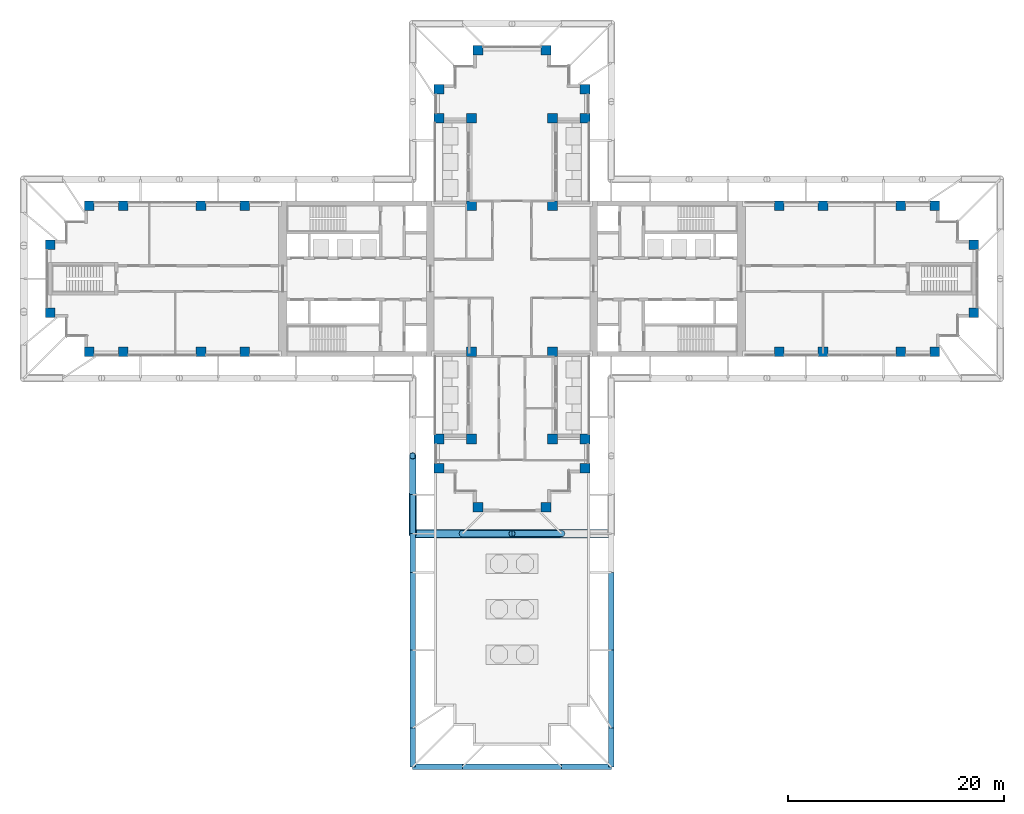
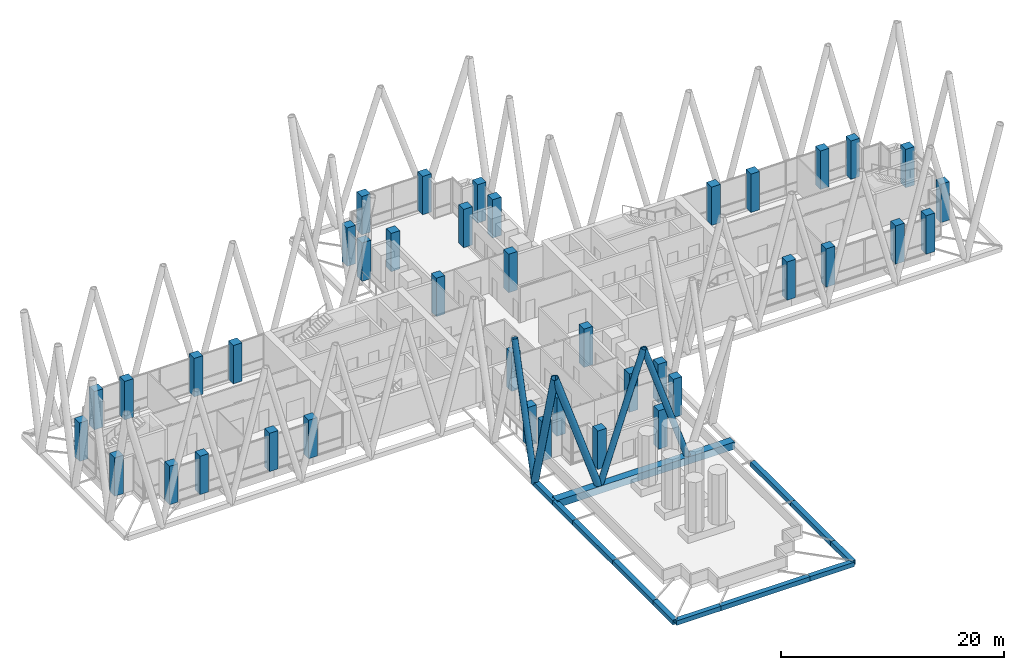
# One storey, part 1 of 22: 40 columns, 17 members.
"""IFC4 building model written with IfcOpenShell, lengths in metres."""

from ifc_helpers import new_model, si_unit, direction, frame, origin, origin_2d, place, context, subcontext, project, spatial, rectangle, hollow_rectangle, hollow_circle, extrude, material, material_profile, profile_set, type_object, element, save


model = new_model("IFC4")

# Units and contexts
model_context = context("Model", 3, precision=1e-05, world=origin(), true_north=direction((0.0, 1.0)))
body_context = subcontext(model_context, "Body", "Model", "MODEL_VIEW")
ifc_project = project(units=[si_unit("LENGTHUNIT", "METRE"), si_unit("AREAUNIT", "SQUARE_METRE"), si_unit("VOLUMEUNIT", "CUBIC_METRE"), si_unit("PLANEANGLEUNIT", "RADIAN"), si_unit("MASSUNIT", "GRAM", prefix="KILO")], contexts=[model_context])

# Site, building, storey
site_placement = place(None, origin())
site = spatial("IfcSite", under=ifc_project, at=site_placement, CompositionType="ELEMENT")
building_placement = place(site_placement, origin())
building = spatial("IfcBuilding", under=site, at=building_placement, Name="Fustian Cross Tower", CompositionType="ELEMENT")
storey_placement = place(building_placement, frame((0.0, 0.0, 116.10009765625)))
storey = spatial("IfcBuildingStorey", under=building, at=storey_placement, Name="L36", CompositionType="ELEMENT", Elevation=116.10009765625)

# Columns
ifc_material_1 = material(Name="Concrete C50/60", Category="concrete")
ifc_material_profile_1 = material_profile(ifc_material_1, rectangle(XDim=0.89990234375, YDim=0.89990234375, at=origin_2d()), Name="RC 900x900")
ifc_profile_set_1 = profile_set([ifc_material_profile_1], Name="Concrete C50/60")
column_type = type_object("IfcColumnType", Name="COLUMN RC 900x900 C50/60", PredefinedType="COLUMN", material=ifc_profile_set_1)
for number, where, z_axis, x_axis, name in (
    (1, (-42.75, -3.14990234375, 0.0), (0.0, 0.0, 1.0), (1.0, 0.0, 0.0), "COLUMN 001"),
    (2, (-42.75, 3.14990234375, 0.0), (0.0, 0.0, 1.0), (1.0, 0.0, 0.0), "COLUMN 002"),
    (3, (-39.14990234375, -6.75, 0.0), (0.0, 0.0, 1.0), (1.0, 0.0, 0.0), "COLUMN 003"),
    (4, (-39.14990234375, 6.75, 0.0), (0.0, 0.0, 1.0), (1.0, 0.0, 0.0), "COLUMN 004"),
    (5, (-36.0, -6.75, 0.0), (0.0, 0.0, 1.0), (1.0, 0.0, 0.0), "COLUMN 005"),
    (6, (-36.0, 6.75, 0.0), (0.0, 0.0, 1.0), (1.0, 0.0, 0.0), "COLUMN 006"),
    (7, (-28.800048828125, -6.75, 0.0), (0.0, 0.0, 1.0), (1.0, 0.0, 0.0), "COLUMN 007"),
    (8, (-28.800048828125, 6.75, 0.0), (0.0, 0.0, 1.0), (1.0, 0.0, 0.0), "COLUMN 010"),
    (9, (-24.75, -6.75, 0.0), (0.0, 0.0, 1.0), (1.0, 0.0, 0.0), "COLUMN 011"),
    (10, (-24.75, 6.75, 0.0), (0.0, 0.0, 1.0), (1.0, 0.0, 0.0), "COLUMN 012"),
    (11, (-6.75, -17.550048828125, 0.0), (0.0, 0.0, 1.0), (1.0, 0.0, 0.0), "COLUMN 017"),
    (12, (-6.75, -14.85009765625, 0.0), (0.0, 0.0, 1.0), (1.0, 0.0, 0.0), "COLUMN 018"),
    (13, (-6.75, 14.85009765625, 0.0), (0.0, 0.0, 1.0), (1.0, 0.0, 0.0), "COLUMN 019"),
    (14, (-6.75, 17.550048828125, 0.0), (0.0, 0.0, 1.0), (1.0, 0.0, 0.0), "COLUMN 020"),
    (15, (-3.75, -14.85009765625, 0.0), (0.0, 0.0, 1.0), (1.0, 0.0, 0.0), "COLUMN 025"),
    (16, (-3.75, -6.75, 0.0), (0.0, 0.0, 1.0), (1.0, 0.0, 0.0), "COLUMN 026"),
    (17, (-3.75, 6.75, 0.0), (0.0, 0.0, 1.0), (1.0, 0.0, 0.0), "COLUMN 027"),
    (18, (-3.75, 14.85009765625, 0.0), (0.0, 0.0, 1.0), (1.0, 0.0, 0.0), "COLUMN 028"),
    (19, (-3.14990234375, -21.14990234375, 0.0), (0.0, 0.0, 1.0), (1.0, 0.0, 0.0), "COLUMN 030"),
    (20, (-3.14990234375, 21.14990234375, 0.0), (0.0, 0.0, 1.0), (1.0, 0.0, 0.0), "COLUMN 031"),
    (21, (3.14990234375, -21.14990234375, 0.0), (0.0, 0.0, 1.0), (1.0, 0.0, 0.0), "COLUMN 034"),
    (22, (3.14990234375, 21.14990234375, 0.0), (0.0, 0.0, 1.0), (1.0, 0.0, 0.0), "COLUMN 035"),
    (23, (3.75, -14.85009765625, 0.0), (0.0, 0.0, 1.0), (1.0, 0.0, 0.0), "COLUMN 037"),
    (24, (3.75, -6.75, 0.0), (0.0, 0.0, 1.0), (1.0, 0.0, 0.0), "COLUMN 038"),
    (25, (3.75, 6.75, 0.0), (0.0, 0.0, 1.0), (1.0, 0.0, 0.0), "COLUMN 039"),
    (26, (3.75, 14.85009765625, 0.0), (0.0, 0.0, 1.0), (1.0, 0.0, 0.0), "COLUMN 040"),
    (27, (6.75, -17.550048828125, 0.0), (0.0, 0.0, 1.0), (1.0, 0.0, 0.0), "COLUMN 045"),
    (28, (6.75, -14.85009765625, 0.0), (0.0, 0.0, 1.0), (1.0, 0.0, 0.0), "COLUMN 046"),
    (29, (6.75, 14.85009765625, 0.0), (0.0, 0.0, 1.0), (1.0, 0.0, 0.0), "COLUMN 047"),
    (30, (6.75, 17.550048828125, 0.0), (0.0, 0.0, 1.0), (1.0, 0.0, 0.0), "COLUMN 048"),
    (31, (24.75, -6.75, 0.0), (0.0, 0.0, 1.0), (1.0, 0.0, 0.0), "COLUMN 053"),
    (32, (24.75, 6.75, 0.0), (0.0, 0.0, 1.0), (1.0, 0.0, 0.0), "COLUMN 054"),
    (33, (28.800048828125, -6.75, 0.0), (0.0, 0.0, 1.0), (1.0, 0.0, 0.0), "COLUMN 055"),
    (34, (28.800048828125, 6.75, 0.0), (0.0, 0.0, 1.0), (1.0, 0.0, 0.0), "COLUMN 058"),
    (35, (36.0, -6.75, 0.0), (0.0, 0.0, 1.0), (1.0, 0.0, 0.0), "COLUMN 059"),
    (36, (36.0, 6.75, 0.0), (0.0, 0.0, 1.0), (1.0, 0.0, 0.0), "COLUMN 060"),
    (37, (39.14990234375, -6.75, 0.0), (0.0, 0.0, 1.0), (1.0, 0.0, 0.0), "COLUMN 061"),
    (38, (39.14990234375, 6.75, 0.0), (0.0, 0.0, 1.0), (1.0, 0.0, 0.0), "COLUMN 062"),
    (39, (42.75, -3.14990234375, 0.0), (0.0, 0.0, 1.0), (1.0, 0.0, 0.0), "COLUMN 063"),
    (40, (42.75, 3.14990234375, 0.0), (0.0, 0.0, 1.0), (1.0, 0.0, 0.0), "COLUMN 064"),
):
    element("IfcColumn", number, at=place(storey_placement, frame(where, z_axis=z_axis, x_axis=x_axis)), inside=storey, type_object=column_type, Name=name, PredefinedType="COLUMN", context=body_context, shape_type="SweptSolid", body=[
        extrude(rectangle(XDim=0.89990234375, YDim=0.89990234375, at=origin_2d()), origin(), (0.0, 0.0, 1.0), 4.199951171875),
    ])

# Members
ifc_material_2 = material(Name="Steel S355", Category="steel")
ifc_material_profile_2 = material_profile(ifc_material_2, hollow_circle(Radius=0.3046875, WallThickness=0.02490234375, at=origin_2d()), Name="CHS 610x25")
ifc_profile_set_2 = profile_set([ifc_material_profile_2], Name="Steel S355")
member_type_1 = type_object("IfcMemberType", Name="DIAGRID DIAGONAL CHS 610x25", PredefinedType="BRACE", material=ifc_profile_set_2)
member_1_placement = place(storey_placement, frame((-9.199951171875, -20.0, -0.400146484375), z_axis=(0.0, 0.255897330119, 0.966703965254), x_axis=(-1.0, 0.0, 0.0)))
element("IfcMember", 41, at=member_1_placement, inside=storey, type_object=member_type_1, Name="Diagrid diagonal S-W 03", PredefinedType="BRACE", context=body_context, shape_type="SweptSolid", body=[
    extrude(hollow_circle(Radius=0.3046875, WallThickness=0.02490234375, at=origin_2d()), origin(), (0.0, 0.0, 1.0), 14.068603515625),
])
for number, where, z_axis, x_axis, name in (
    (42, (-4.60009765625, -23.60009765625, -0.400146484375), (0.32040791786, 0.0, 0.947279666293), (0.0, 1.0, 0.0), "Diagrid diagonal S-end 02"),
    (43, (4.60009765625, -23.60009765625, -0.400146484375), (-0.32040791786, 0.0, 0.947279666293), (0.0, -1.0, 0.0), "Diagrid diagonal S-end 03"),
):
    element("IfcMember", number, at=place(storey_placement, frame(where, z_axis=z_axis, x_axis=x_axis)), inside=storey, type_object=member_type_1, Name=name, PredefinedType="BRACE", context=body_context, shape_type="SweptSolid", body=[
        extrude(hollow_circle(Radius=0.3046875, WallThickness=0.02490234375, at=origin_2d()), origin(), (0.0, 0.0, 1.0), 14.35693359375),
    ])
ifc_material_3 = material(Name="Steel S355", Category="steel")
ifc_material_profile_3 = material_profile(ifc_material_3, hollow_circle(Radius=0.355712890625, WallThickness=0.031982421875, at=origin_2d()), Name="CHS 711x32")
ifc_profile_set_3 = profile_set([ifc_material_profile_3], Name="Steel S355")
member_type_2 = type_object("IfcMemberType", Name="DIAGRID DIAGONAL CHS 711x32", PredefinedType="BRACE", material=ifc_profile_set_3)
member_2_placement = place(storey_placement, frame((-9.199951171875, -20.0, -0.400146484375), z_axis=(0.0, -0.255897330119, 0.966703965254), x_axis=(1.0, 0.0, 0.0)))
element("IfcMember", 44, at=member_2_placement, inside=storey, type_object=member_type_2, Name="Diagrid diagonal S-W 04", PredefinedType="BRACE", context=body_context, shape_type="SweptSolid", body=[
    extrude(hollow_circle(Radius=0.355712890625, WallThickness=0.031982421875, at=origin_2d()), origin(), (0.0, 0.0, 1.0), 14.068603515625),
])
member_3_placement = place(storey_placement, frame((-4.60009765625, -23.60009765625, -0.400146484375), z_axis=(-0.320392658503, 0.0, 0.947284827482), x_axis=(0.0, -1.0, 0.0)))
element("IfcMember", 45, at=member_3_placement, inside=storey, type_object=member_type_2, Name="Diagrid diagonal S-end 01", PredefinedType="BRACE", context=body_context, shape_type="SweptSolid", body=[
    extrude(hollow_circle(Radius=0.355712890625, WallThickness=0.031982421875, at=origin_2d()), origin(), (0.0, 0.0, 1.0), 14.35693359375),
])
ifc_material_4 = material(Name="Steel S355", Category="steel")
ifc_material_profile_4 = material_profile(ifc_material_4, hollow_rectangle(XDim=0.5, YDim=0.5, WallThickness=0.02490234375, at=origin_2d()), Name="RHS 500x500x25")
ifc_profile_set_4 = profile_set([ifc_material_profile_4], Name="Steel S355")
member_type_3 = type_object("IfcMemberType", Name="DIAGRID RING RHS 500x500x25", PredefinedType="MEMBER", material=ifc_profile_set_4)
member_4_placement = place(storey_placement, frame((-9.199951171875, -20.0, -0.400146484375), z_axis=(0.0, -1.0, 0.0), x_axis=(1.0, 0.0, 0.0)))
element("IfcMember", 46, at=member_4_placement, inside=storey, type_object=member_type_3, Name="Diagrid ring L36-35 L36-36", PredefinedType="MEMBER", context=body_context, shape_type="SweptSolid", body=[
    extrude(hollow_rectangle(XDim=0.5, YDim=0.5, WallThickness=0.02490234375, at=origin_2d()), origin(), (0.0, 0.0, 1.0), 3.60009765625),
])
member_5_placement = place(storey_placement, frame((-9.199951171875, -23.60009765625, -0.400146484375), z_axis=(0.0, -1.0, 0.0), x_axis=(1.0, 0.0, 0.0)))
element("IfcMember", 47, at=member_5_placement, inside=storey, type_object=member_type_3, Name="Diagrid ring L36-36 L36-37", PredefinedType="MEMBER", context=body_context, shape_type="SweptSolid", body=[
    extrude(hollow_rectangle(XDim=0.5, YDim=0.5, WallThickness=0.02490234375, at=origin_2d()), origin(), (0.0, 0.0, 1.0), 3.599853515625),
])
member_6_placement = place(storey_placement, frame((-9.199951171875, -27.199951171875, -0.400146484375), z_axis=(0.0, -1.0, 0.0), x_axis=(1.0, 0.0, 0.0)))
element("IfcMember", 48, at=member_6_placement, inside=storey, type_object=member_type_3, Name="Diagrid ring L36-37 L36-38", PredefinedType="MEMBER", context=body_context, shape_type="SweptSolid", body=[
    extrude(hollow_rectangle(XDim=0.5, YDim=0.5, WallThickness=0.02490234375, at=origin_2d()), origin(), (0.0, 0.0, 1.0), 7.199951171875),
])
member_7_placement = place(storey_placement, frame((-9.199951171875, -34.39990234375, -0.400146484375), z_axis=(0.0, -1.0, 0.0), x_axis=(1.0, 0.0, 0.0)))
element("IfcMember", 49, at=member_7_placement, inside=storey, type_object=member_type_3, Name="Diagrid ring L36-38 L36-39", PredefinedType="MEMBER", context=body_context, shape_type="SweptSolid", body=[
    extrude(hollow_rectangle(XDim=0.5, YDim=0.5, WallThickness=0.02490234375, at=origin_2d()), origin(), (0.0, 0.0, 1.0), 7.2001953125),
])
member_8_placement = place(storey_placement, frame((-9.199951171875, -41.60009765625, -0.400146484375), z_axis=(0.0, -1.0, 0.0), x_axis=(1.0, 0.0, 0.0)))
element("IfcMember", 50, at=member_8_placement, inside=storey, type_object=member_type_3, Name="Diagrid ring L36-39 L36-40", PredefinedType="MEMBER", context=body_context, shape_type="SweptSolid", body=[
    extrude(hollow_rectangle(XDim=0.5, YDim=0.5, WallThickness=0.02490234375, at=origin_2d()), origin(), (0.0, 0.0, 1.0), 3.599853515625),
])
member_9_placement = place(storey_placement, frame((-9.199951171875, -45.199951171875, -0.400146484375), z_axis=(1.0, 0.0, 0.0), x_axis=(0.0, 1.0, 0.0)))
element("IfcMember", 51, at=member_9_placement, inside=storey, type_object=member_type_3, Name="Diagrid ring L36-40 L36-42", PredefinedType="MEMBER", context=body_context, shape_type="SweptSolid", body=[
    extrude(hollow_rectangle(XDim=0.5, YDim=0.5, WallThickness=0.02490234375, at=origin_2d()), origin(), (0.0, 0.0, 1.0), 4.599853515625),
])
member_10_placement = place(storey_placement, frame((-4.60009765625, -45.199951171875, -0.400146484375), z_axis=(1.0, 0.0, 0.0), x_axis=(0.0, 1.0, 0.0)))
element("IfcMember", 52, at=member_10_placement, inside=storey, type_object=member_type_3, Name="Diagrid ring L36-42 L36-43", PredefinedType="MEMBER", context=body_context, shape_type="SweptSolid", body=[
    extrude(hollow_rectangle(XDim=0.5, YDim=0.5, WallThickness=0.02490234375, at=origin_2d()), origin(), (0.0, 0.0, 1.0), 9.2001953125),
])
member_11_placement = place(storey_placement, frame((4.60009765625, -45.199951171875, -0.400146484375), z_axis=(1.0, 0.0, 0.0), x_axis=(0.0, 1.0, 0.0)))
element("IfcMember", 53, at=member_11_placement, inside=storey, type_object=member_type_3, Name="Diagrid ring L36-43 L36-45", PredefinedType="MEMBER", context=body_context, shape_type="SweptSolid", body=[
    extrude(hollow_rectangle(XDim=0.5, YDim=0.5, WallThickness=0.02490234375, at=origin_2d()), origin(), (0.0, 0.0, 1.0), 4.599853515625),
])
member_12_placement = place(storey_placement, frame((9.199951171875, -45.199951171875, -0.400146484375), z_axis=(0.0, 1.0, 0.0), x_axis=(-1.0, 0.0, 0.0)))
element("IfcMember", 54, at=member_12_placement, inside=storey, type_object=member_type_3, Name="Diagrid ring L36-45 L36-46", PredefinedType="MEMBER", context=body_context, shape_type="SweptSolid", body=[
    extrude(hollow_rectangle(XDim=0.5, YDim=0.5, WallThickness=0.02490234375, at=origin_2d()), origin(), (0.0, 0.0, 1.0), 3.599853515625),
])
member_13_placement = place(storey_placement, frame((9.199951171875, -41.60009765625, -0.400146484375), z_axis=(0.0, 1.0, 0.0), x_axis=(-1.0, 0.0, 0.0)))
element("IfcMember", 55, at=member_13_placement, inside=storey, type_object=member_type_3, Name="Diagrid ring L36-46 L36-47", PredefinedType="MEMBER", context=body_context, shape_type="SweptSolid", body=[
    extrude(hollow_rectangle(XDim=0.5, YDim=0.5, WallThickness=0.02490234375, at=origin_2d()), origin(), (0.0, 0.0, 1.0), 7.2001953125),
])
member_14_placement = place(storey_placement, frame((9.199951171875, -34.39990234375, -0.400146484375), z_axis=(0.0, 1.0, 0.0), x_axis=(-1.0, 0.0, 0.0)))
element("IfcMember", 56, at=member_14_placement, inside=storey, type_object=member_type_3, Name="Diagrid ring L36-47 L36-48", PredefinedType="MEMBER", context=body_context, shape_type="SweptSolid", body=[
    extrude(hollow_rectangle(XDim=0.5, YDim=0.5, WallThickness=0.02490234375, at=origin_2d()), origin(), (0.0, 0.0, 1.0), 7.199951171875),
])
ifc_material_5 = material(Name="Steel S355", Category="steel")
ifc_material_profile_5 = material_profile(ifc_material_5, hollow_rectangle(XDim=0.800048828125, YDim=0.800048828125, WallThickness=0.0400390625, at=origin_2d()), Name="RHS 800x800x40")
ifc_profile_set_5 = profile_set([ifc_material_profile_5], Name="Steel S355")
member_type_4 = type_object("IfcMemberType", Name="DIAGRID RING RHS 800x800x40", PredefinedType="MEMBER", material=ifc_profile_set_5)
member_15_placement = place(storey_placement, frame((-9.199951171875, -23.60009765625, -0.400146484375), z_axis=(1.0, 0.0, 0.0), x_axis=(0.0, 1.0, 0.0)))
element("IfcMember", 57, at=member_15_placement, inside=storey, type_object=member_type_4, Name="Diagrid ring L36-36 L36-49", PredefinedType="MEMBER", context=body_context, shape_type="SweptSolid", body=[
    extrude(hollow_rectangle(XDim=0.800048828125, YDim=0.800048828125, WallThickness=0.0400390625, at=origin_2d()), origin(), (0.0, 0.0, 1.0), 18.39990234375),
])

save(model, "model.ifc")
